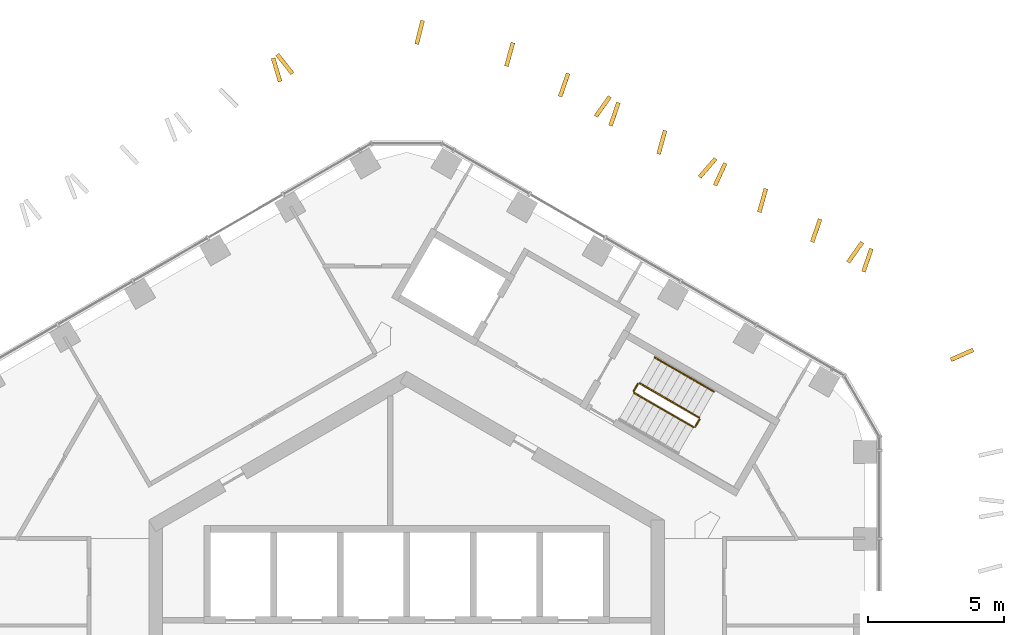
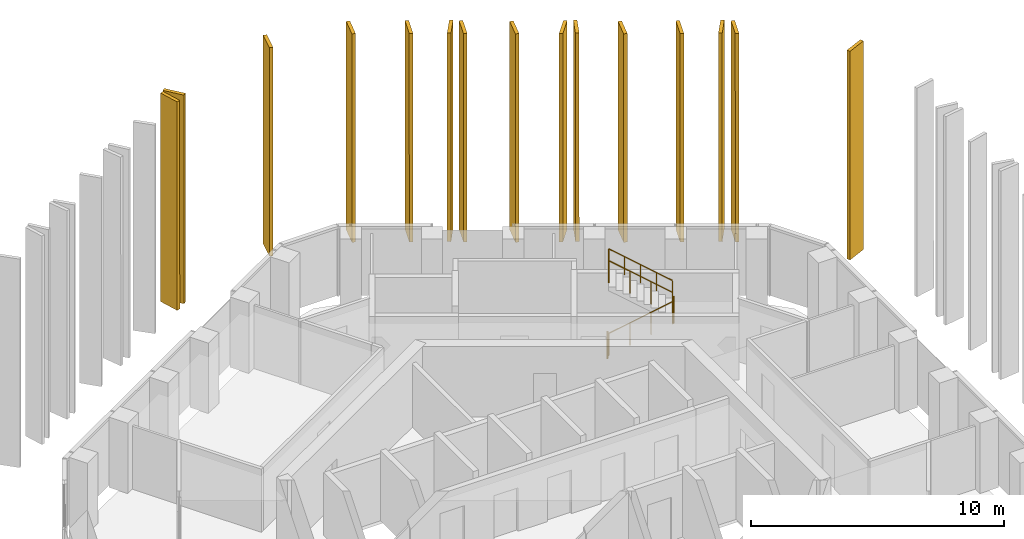
# One storey, part 18 of 18: 15 shading devices, 6 railings.
"""IFC4 building model written with IfcOpenShell, lengths in metres."""

import ifcopenshell
import ifcopenshell.guid

model = None  # the IFC model being written
_history = None  # IfcOwnerHistory: only IFC2X3 demands one
_inside = {}  # id of a spatial element -> (the spatial element, [elements in it])
_under = {}  # id of a project, library or spatial element -> (it, [spatial elements below it])
_declared = {}  # id of a project -> (the project, [libraries it declares])
_typed = {}  # id of a type object -> (the type object, [elements of that type])
_made_of = {}  # id of a material, layer set ... -> (it, [elements and type objects made of it])


def new_model(schema):
    """Start an empty IFC model of exactly this schema.

    Asked for "IFC4X3", IfcOpenShell would pick the latest addendum, in which some entities
    have other attributes; the version numbers below select the first issue.
    IFC2X3 requires an IfcOwnerHistory on every rooted entity: one is made here for all.
    """
    global model, _history
    if schema == "IFC4X3":
        model = ifcopenshell.file(schema_version=(4, 3, 0, 0))
    else:
        model = ifcopenshell.file(schema=schema)
    _inside.clear()
    _under.clear()
    _declared.clear()
    _typed.clear()
    _made_of.clear()
    _history = None
    if model.schema == "IFC2X3":
        org = make("IfcOrganization", Name="unknown")
        user = make(
            "IfcPersonAndOrganization",
            ThePerson=make("IfcPerson", FamilyName="unknown"),
            TheOrganization=org,
        )
        app = make(
            "IfcApplication",
            ApplicationDeveloper=org,
            Version="unknown",
            ApplicationFullName="unknown",
            ApplicationIdentifier="unknown",
        )
        _history = make(
            "IfcOwnerHistory",
            OwningUser=user,
            OwningApplication=app,
            ChangeAction="ADDED",
            CreationDate=0,
        )
    return model


def make(cls, **values):
    """One entity of the class cls with the attributes given. An attribute that is None is left unset."""
    return model.create_entity(
        cls, **{name: value for name, value in values.items() if value is not None}
    )


def rooted(cls, **values):
    """An entity with a GlobalId (a new one), such as an element, a storey or a relation."""
    return make(cls, GlobalId=ifcopenshell.guid.new(), OwnerHistory=_history, **values)


def si_unit(unit_type, name, prefix=None):
    """IfcSIUnit, for example si_unit("LENGTHUNIT", "METRE", prefix="MILLI")."""
    return make("IfcSIUnit", UnitType=unit_type, Prefix=prefix, Name=name)


def assignment(units):
    """IfcUnitAssignment: the units of a project."""
    return None if units is None else make("IfcUnitAssignment", Units=units)


def point(xyz):
    """IfcCartesianPoint."""
    return None if xyz is None else make("IfcCartesianPoint", Coordinates=xyz)


def direction(xyz):
    """IfcDirection."""
    return None if xyz is None else make("IfcDirection", DirectionRatios=xyz)


def frame(location, z_axis=None, x_axis=None):
    """IfcAxis2Placement3D, a coordinate frame: its origin and axes. An axis left out is left unset."""
    return make(
        "IfcAxis2Placement3D",
        Location=point(location),
        Axis=direction(z_axis),
        RefDirection=direction(x_axis),
    )


def frame_2d(location, x_axis=None):
    """IfcAxis2Placement2D, a coordinate frame in the plane: its origin and x axis."""
    return make(
        "IfcAxis2Placement2D", Location=point(location), RefDirection=direction(x_axis)
    )


def origin():
    """The frame at (0, 0, 0) with its axes left unset."""
    return frame((0.0, 0.0, 0.0))


def origin_2d():
    """The frame at (0, 0) in the plane with its x axis left unset."""
    return frame_2d((0.0, 0.0))


def place(relative_to, where):
    """IfcLocalPlacement: puts the frame where relative to a parent placement (None: the world)."""
    return make(
        "IfcLocalPlacement", PlacementRelTo=relative_to, RelativePlacement=where
    )


def context(
    kind, dimensions, precision=None, world=None, true_north=None, identifier=None
):
    """IfcGeometricRepresentationContext, for example the 3D "Model" context."""
    return make(
        "IfcGeometricRepresentationContext",
        ContextIdentifier=identifier,
        ContextType=kind,
        CoordinateSpaceDimension=dimensions,
        Precision=precision,
        WorldCoordinateSystem=world,
        TrueNorth=true_north,
    )


def subcontext(parent, identifier, kind, view, scale=None):
    """IfcGeometricRepresentationSubContext, for example "Body" below "Model"."""
    return make(
        "IfcGeometricRepresentationSubContext",
        ContextIdentifier=identifier,
        ContextType=kind,
        ParentContext=parent,
        TargetScale=scale,
        TargetView=view,
    )


def project(units=None, contexts=None):
    """IfcProject with its units and contexts."""
    return rooted(
        "IfcProject",
        Name="project",
        RepresentationContexts=contexts,
        UnitsInContext=assignment(units),
    )


def spatial(cls, under=None, at=None, **own):
    """A site, building, storey or space (cls), placed at a placement, below another one or the project."""
    s = rooted(cls, ObjectPlacement=at, **own)
    if under is not None:
        _under.setdefault(under.id(), (under, []))[1].append(s)
    return s


def polyline(points):
    """IfcPolyline through the points."""
    return make("IfcPolyline", Points=[point(p) for p in points])


def profile(cls, at=None, kind="AREA", **sizes):
    """A parametric profile (cls). Its sizes go by their IFC names, for example OverallWidth=200.0."""
    return make(cls, ProfileType=kind, Position=at, **sizes)


def circle(**sizes):
    """IfcCircleProfileDef."""
    return profile("IfcCircleProfileDef", **sizes)


def outline(outer, holes=None, kind="AREA"):
    """IfcArbitraryClosedProfileDef: a profile drawn as a closed curve; with holes, ...WithVoids."""
    if holes is None:
        return make("IfcArbitraryClosedProfileDef", ProfileType=kind, OuterCurve=outer)
    return make(
        "IfcArbitraryProfileDefWithVoids",
        ProfileType=kind,
        OuterCurve=outer,
        InnerCurves=holes,
    )


def extrude(swept, where, along, depth):
    """IfcExtrudedAreaSolid: the profile swept, set in the frame where, extruded along a direction by depth."""
    return make(
        "IfcExtrudedAreaSolid",
        SweptArea=swept,
        Position=where,
        ExtrudedDirection=direction(along),
        Depth=depth,
    )


def shape(context_of_items, identifier, shape_type, items):
    """IfcShapeRepresentation: the items that make up one representation, for example the "Body"."""
    return make(
        "IfcShapeRepresentation",
        ContextOfItems=context_of_items,
        RepresentationIdentifier=identifier,
        RepresentationType=shape_type,
        Items=items,
    )


def material(Name=None, Category=None):
    """IfcMaterial."""
    return make("IfcMaterial", Name=Name, Category=Category)


def layer(
    of_material, thickness, ventilated=None, Name=None, Category=None, Priority=None
):
    """IfcMaterialLayer: one layer of a wall or slab, of a material (None: an air gap)."""
    return make(
        "IfcMaterialLayer",
        Material=of_material,
        LayerThickness=thickness,
        IsVentilated=ventilated,
        Name=Name,
        Category=Category,
        Priority=Priority,
    )


def layer_set(layers, Name=None):
    """IfcMaterialLayerSet."""
    return make("IfcMaterialLayerSet", MaterialLayers=layers, LayerSetName=Name)


def made_of(thing, what):
    """Note that an element or type object is made of a material, layer set ...; save() writes the relation."""
    if what is not None:
        _made_of.setdefault(what.id(), (what, []))[1].append(thing)
    return thing


def type_object(cls, material=None, **own):
    """A type object (cls), such as IfcWallType, which elements share."""
    return made_of(rooted(cls, **own), material)


def element(
    cls,
    number,
    at=None,
    inside=None,
    cuts=None,
    type_object=None,
    material=None,
    context=None,
    identifier="Body",
    shape_type=None,
    held_by="IfcProductDefinitionShape",
    body=None,
    shapes=None,
    **own,
):
    """One element of the class cls, such as IfcWall. Its Tag is "e" and its number.

    at: its placement. inside: the storey or other place that contains it. cuts: it is an
    opening in that element (IfcRelVoidsElement). A single representation is given by context,
    identifier, shape_type and body (its items); several are given by shapes. held_by: the class
    of the entity that holds the representations. save() writes the other relations.
    """
    e = rooted(cls, Tag="e%d" % number, ObjectPlacement=at, **own)
    if body is not None:
        shapes = [shape(context, identifier, shape_type, body)]
    if shapes is not None:
        e.Representation = make(held_by, Representations=shapes)
    if inside is not None:
        _inside.setdefault(inside.id(), (inside, []))[1].append(e)
    if cuts is not None:
        rooted(
            "IfcRelVoidsElement", RelatingBuildingElement=cuts, RelatedOpeningElement=e
        )
    if type_object is not None:
        _typed.setdefault(type_object.id(), (type_object, []))[1].append(e)
    return made_of(e, material)


def aggregate(whole, parts):
    """IfcRelAggregates: a whole, such as a stair, and the parts it consists of."""
    return rooted("IfcRelAggregates", RelatingObject=whole, RelatedObjects=parts)


def save(model, path):
    """Write the relations noted so far, then the file.

    IfcRelAggregates (storeys below a building ...), IfcRelContainedInSpatialStructure (elements
    in a storey), IfcRelDefinesByType, IfcRelAssociatesMaterial and IfcRelDeclares: one each for
    every whole, place, type object, material and project.
    """
    for whole, parts in _under.values():
        aggregate(whole, parts)
    for where, things in _inside.values():
        rooted(
            "IfcRelContainedInSpatialStructure",
            RelatedElements=things,
            RelatingStructure=where,
        )
    for kind, things in _typed.values():
        rooted("IfcRelDefinesByType", RelatedObjects=things, RelatingType=kind)
    for what, things in _made_of.values():
        rooted("IfcRelAssociatesMaterial", RelatedObjects=things, RelatingMaterial=what)
    for by, libraries in _declared.values():
        rooted("IfcRelDeclares", RelatingContext=by, RelatedDefinitions=libraries)
    model.write(path)


model = new_model("IFC4")

# Units and contexts
model_context = context("Model", 3, precision=1e-05, world=origin(), true_north=direction((0.0, 1.0)))
body_context = subcontext(model_context, "Body", "Model", "MODEL_VIEW")
ifc_project = project(units=[si_unit("LENGTHUNIT", "METRE"), si_unit("AREAUNIT", "SQUARE_METRE"), si_unit("VOLUMEUNIT", "CUBIC_METRE"), si_unit("PLANEANGLEUNIT", "RADIAN"), si_unit("MASSUNIT", "GRAM", prefix="KILO")], contexts=[model_context])

# Site, building, storey
site_placement = place(None, origin())
site = spatial("IfcSite", under=ifc_project, at=site_placement, CompositionType="ELEMENT")
building_placement = place(site_placement, origin())
building = spatial("IfcBuilding", under=site, at=building_placement, Name="Ayvan Gate Tower", CompositionType="ELEMENT")
storey_placement = place(building_placement, frame((0.0, 0.0, 218.89990234375)))
storey = spatial("IfcBuildingStorey", under=building, at=storey_placement, Name="L58", CompositionType="ELEMENT", Elevation=218.89990234375)

# Shading devices
ifc_material_1 = material(Name="Bronze anodised aluminium", Category="aluminium")
ifc_layer = layer(ifc_material_1, 0.14990234375)
ifc_layer_set = layer_set([ifc_layer], Name="Bronze anodised aluminium")
shading_device_type = type_object("IfcShadingDeviceType", Name="Bronze fin 900 x 150", PredefinedType="USERDEFINED", material=ifc_layer_set)
shading_device_1_placement = place(storey_placement, frame((-4.149658203125, 21.97705078125, 0.0), z_axis=(0.784507651221, 0.620119118497, 0.000155081736), x_axis=(-0.620119125954, 0.784507660655, 0.0)))
element("IfcShadingDevice", 1, at=shading_device_1_placement, inside=storey, type_object=shading_device_type, Name="Bronze fin FG22.1.1", ObjectType="FIN", PredefinedType="USERDEFINED", context=body_context, shape_type="SweptSolid", body=[
    extrude(outline(polyline([(0.0, 0.0), (0.8999971866563694, -1.3552527156068805e-20), (0.8999880472489348, 10.08007824621468), (-9.13940743477509e-06, 10.08007824621468), (0.0, 0.0)])), origin(), (0.0, 0.0, -1.0), 0.14990234375),
])
shading_device_2_placement = place(storey_placement, frame((-4.591064453125, 21.662109375, 0.0), z_axis=(0.957527128325, 0.288343155073, 0.000153115895), x_axis=(-0.288343158453, 0.957527139549, 0.0)))
element("IfcShadingDevice", 2, at=shading_device_2_placement, inside=storey, type_object=shading_device_type, Name="Bronze fin FG22.1.2", ObjectType="FIN", PredefinedType="USERDEFINED", context=body_context, shape_type="SweptSolid", body=[
    extrude(outline(polyline([(0.0, 0.0), (0.9000438427842659, 6.776263578034403e-21), (0.8999986779091738, 10.080078243161084), (-4.516487509215709e-05, 10.080078243161084), (0.0, 0.0)])), origin(), (0.0, 0.0, -1.0), 0.14990234375),
])
shading_device_3_placement = place(storey_placement, frame((20.074462890625, 11.31787109375, 0.0), z_axis=(0.404060917608, -0.914732067253, 0.000141424826), x_axis=(0.914732076402, 0.404060921646, -1.7548e-08)))
element("IfcShadingDevice", 3, at=shading_device_3_placement, inside=storey, type_object=shading_device_type, Name="Bronze fin FG22.10.80", ObjectType="FIN", PredefinedType="USERDEFINED", context=body_context, shape_type="SweptSolid", body=[
    extrude(outline(polyline([(0.0, 0.0), (0.899932439931201, 2.0328790734103208e-20), (0.9000775026432281, 10.080078241600003), (4.6415026078272525e-05, 10.080078210014818), (0.0, 0.0)])), origin(), (0.0, 0.0, -1.0), 0.14990234375),
])
shading_device_4_placement = place(storey_placement, frame((16.898681640625, 14.60693359375, 0.0), z_axis=(0.945308095431, -0.326178761766, 0.000141725248), x_axis=(0.326178765044, 0.945308104924, -1.8169e-08)))
element("IfcShadingDevice", 4, at=shading_device_4_placement, inside=storey, type_object=shading_device_type, Name="Bronze fin FG22.11.81", ObjectType="FIN", PredefinedType="USERDEFINED", context=body_context, shape_type="SweptSolid", body=[
    extrude(outline(polyline([(0.0, 0.0), (0.9000956542985606, -6.776263578034403e-21), (0.9000792464467441, 10.080078242588414), (6.322563574313208e-05, 10.080078209881359), (0.0, 0.0)])), origin(), (0.0, 0.0, -1.0), 0.14990234375),
])
shading_device_5_placement = place(storey_placement, frame((16.324462890625, 14.938232421875, 0.0), z_axis=(0.815763137709, -0.578386102293, 0.000140815104), x_axis=(0.578386108028, 0.815763145797, 0.0)))
element("IfcShadingDevice", 5, at=shading_device_5_placement, inside=storey, type_object=shading_device_type, Name="Bronze fin FG22.11.82", ObjectType="FIN", PredefinedType="USERDEFINED", context=body_context, shape_type="SweptSolid", body=[
    extrude(outline(polyline([(0.0, 0.0), (0.8999313871402703, 0.0), (0.8998228321835451, 10.080078224938399), (-0.0001085549567254266, 10.080078224938399), (0.0, 0.0)])), origin(), (0.0, 0.0, -1.0), 0.14990234375),
])
shading_device_6_placement = place(storey_placement, frame((15.009765625, 15.697021484375, 0.0), z_axis=(0.946102746025, -0.323866593679, 0.00015317646), x_axis=(0.323866597479, 0.946102757124, 0.0)))
element("IfcShadingDevice", 6, at=shading_device_6_placement, inside=storey, type_object=shading_device_type, Name="Bronze fin FG22.11.83", ObjectType="FIN", PredefinedType="USERDEFINED", context=body_context, shape_type="SweptSolid", body=[
    extrude(outline(polyline([(0.0, 0.0), (0.9000740073823146, 0.0), (0.900061557658041, 10.080078243254578), (-1.2449724273632616e-05, 10.080078243254578), (0.0, 0.0)])), origin(), (0.0, 0.0, -1.0), 0.14990234375),
])
shading_device_7_placement = place(storey_placement, frame((13.063232421875, 16.80322265625, 0.0), z_axis=(0.96357422355, -0.267441008985, 0.000149743433), x_axis=(0.267441011984, 0.963574234353, -5.432e-09)))
element("IfcShadingDevice", 7, at=shading_device_7_placement, inside=storey, type_object=shading_device_type, Name="Bronze fin FG22.11.85", ObjectType="FIN", PredefinedType="USERDEFINED", context=body_context, shape_type="SweptSolid", body=[
    extrude(outline(polyline([(0.0, 0.0), (0.8999786421479705, -6.776263578034403e-21), (0.9000573233304763, 10.080078242902324), (-0.0001565664333030252, 10.080078233123816), (0.0, 0.0)])), origin(), (0.0, 0.0, -1.0), 0.14990234375),
])
shading_device_8_placement = place(storey_placement, frame((11.42919921875, 17.780517578125, 0.0), z_axis=(0.908419361645, -0.418060097445, 0.000135323751), x_axis=(0.418060101272, 0.908419369963, 7.673e-09)))
element("IfcShadingDevice", 8, at=shading_device_8_placement, inside=storey, type_object=shading_device_type, Name="Bronze fin FG22.11.87", ObjectType="FIN", PredefinedType="USERDEFINED", context=body_context, shape_type="SweptSolid", body=[
    extrude(outline(polyline([(0.0, 0.0), (0.9000310268718524, 6.776263578034403e-21), (0.899964341089743, 10.080078210390377), (0.00015509629063559114, 10.080078224200555), (0.0, 0.0)])), origin(), (0.0, 0.0, -1.0), 0.14990234375),
])
shading_device_9_placement = place(storey_placement, frame((10.8466796875, 18.068115234375, 0.0), z_axis=(0.754941216385, -0.655792450812, 0.000145814892), x_axis=(0.655792457782, 0.754941224412, 1.4932e-08)))
element("IfcShadingDevice", 9, at=shading_device_9_placement, inside=storey, type_object=shading_device_type, Name="Bronze fin FG22.11.88", ObjectType="FIN", PredefinedType="USERDEFINED", context=body_context, shape_type="SweptSolid", body=[
    extrude(outline(polyline([(0.0, 0.0), (0.8999149897453291, 0.0), (0.9000119652304109, 10.080078218722075), (-6.313009543135852e-05, 10.080078245599873), (0.0, 0.0)])), origin(), (0.0, 0.0, -1.0), 0.14990234375),
])
shading_device_10_placement = place(storey_placement, frame((9.351318359375, 18.946044921875, 0.0), z_axis=(0.963634408696, -0.267224068853, 0.000152980396), x_axis=(0.26722407198, 0.963634419972, 0.0)))
element("IfcShadingDevice", 10, at=shading_device_10_placement, inside=storey, type_object=shading_device_type, Name="Bronze fin FG22.11.89", ObjectType="FIN", PredefinedType="USERDEFINED", context=body_context, shape_type="SweptSolid", body=[
    extrude(outline(polyline([(0.0, 0.0), (0.8999133717383321, 0.0), (0.8999924548457698, 10.080078242952045), (7.908310743771224e-05, 10.080078242952045), (0.0, 0.0)])), origin(), (0.0, 0.0, -1.0), 0.14990234375),
])
shading_device_11_placement = place(storey_placement, frame((7.580322265625, 19.986572265625, 0.0), z_axis=(0.945949503241, -0.32431391773, 0.000141720357), x_axis=(0.324313920984, 0.945949512741, 1.8185e-08)))
element("IfcShadingDevice", 11, at=shading_device_11_placement, inside=storey, type_object=shading_device_type, Name="Bronze fin FG22.11.91", ObjectType="FIN", PredefinedType="USERDEFINED", context=body_context, shape_type="SweptSolid", body=[
    extrude(outline(polyline([(0.0, 0.0), (0.8999221402601754, -6.776263578034403e-21), (0.8999883219567135, 10.080078209861485), (-1.2996506827300784e-05, 10.08007824259249), (0.0, 0.0)])), origin(), (0.0, 0.0, -1.0), 0.14990234375),
])
shading_device_12_placement = place(storey_placement, frame((7.025390625, 20.306640625, 0.0), z_axis=(0.815023638486, -0.579427689068, 0.000147818134), x_axis=(0.579427695397, 0.815023647391, 1.1616e-08)))
element("IfcShadingDevice", 12, at=shading_device_12_placement, inside=storey, type_object=shading_device_type, Name="Bronze fin FG22.11.92", ObjectType="FIN", PredefinedType="USERDEFINED", context=body_context, shape_type="SweptSolid", body=[
    extrude(outline(polyline([(0.0, 0.0), (0.9000985394967457, -1.3552527156068805e-20), (0.8999882885338415, 10.080078224671835), (8.872941975971171e-05, 10.08007824558015), (0.0, 0.0)])), origin(), (0.0, 0.0, -1.0), 0.14990234375),
])
shading_device_13_placement = place(storey_placement, frame((5.722412109375, 21.06005859375, 0.0), z_axis=(0.944705165817, -0.327920914577, 0.000153169755), x_axis=(0.327920918424, 0.944705176899, 0.0)))
element("IfcShadingDevice", 13, at=shading_device_13_placement, inside=storey, type_object=shading_device_type, Name="Bronze fin FG22.11.93", ObjectType="FIN", PredefinedType="USERDEFINED", context=body_context, shape_type="SweptSolid", body=[
    extrude(outline(polyline([(0.0, 0.0), (0.9001134085727984, 0.0), (0.9000943374896084, 10.080078243244227), (-1.9071083189984694e-05, 10.080078243244227), (0.0, 0.0)])), origin(), (0.0, 0.0, -1.0), 0.14990234375),
])
shading_device_14_placement = place(storey_placement, frame((3.746337890625, 22.181884765625, 0.0), z_axis=(0.963758449784, -0.26677636796, 0.000141305566), x_axis=(0.266776370621, 0.963758459407, 1.8471e-08)))
element("IfcShadingDevice", 14, at=shading_device_14_placement, inside=storey, type_object=shading_device_type, Name="Bronze fin FG22.11.95", ObjectType="FIN", PredefinedType="USERDEFINED", context=body_context, shape_type="SweptSolid", body=[
    extrude(outline(polyline([(0.0, 0.0), (0.9000183053205618, -6.776263578034403e-21), (0.9001634219438367, 10.08007820900903), (7.998567341613293e-05, 10.080078242258388), (0.0, 0.0)])), origin(), (0.0, 0.0, -1.0), 0.14990234375),
])
shading_device_15_placement = place(storey_placement, frame((0.440673828125, 22.99658203125, 0.0), z_axis=(0.969460467088, -0.245247589827, 0.000149792535), x_axis=(0.245247592579, 0.969460477964, -4.984e-09)))
element("IfcShadingDevice", 15, at=shading_device_15_placement, inside=storey, type_object=shading_device_type, Name="Bronze fin FG22.12.96", ObjectType="FIN", PredefinedType="USERDEFINED", context=body_context, shape_type="SweptSolid", body=[
    extrude(outline(polyline([(0.0, 0.0), (0.8998012967423878, -6.776263578034403e-21), (0.8999153664763677, 10.080078242572384), (-0.00012261495302305997, 10.080078233602391), (0.0, 0.0)])), origin(), (0.0, 0.0, -1.0), 0.14990234375),
])

# Railings
ifc_material_2 = material(Name="Stainless steel balustrade", Category="steel")
railing_type_1 = type_object("IfcRailingType", Name="RL-GUARD-1100", PredefinedType="GUARDRAIL", material=ifc_material_2)
railing_1_placement = place(storey_placement, frame((8.381103515625, 10.16650390625, 0.170166015625)))
element("IfcRailing", 16, at=railing_1_placement, inside=storey, type_object=railing_type_1, Name="L58 STS1 stair guard 1", PredefinedType="GUARDRAIL", context=body_context, shape_type="SweptSolid", body=[
    extrude(circle(Radius=0.02392578125, at=origin_2d()), frame((0.0, 0.0, 1.076171875), z_axis=(0.740261155115, -0.427395438142, 0.518986090067), x_axis=(0.500004791531, 0.866022637375, 0.0)), (0.0, 0.0, 1.0), 2.947998046875),
    extrude(circle(Radius=0.02099609375, at=origin_2d()), origin(), (0.0, 0.0, 1.0), 1.052001953125),
    extrude(circle(Radius=0.02099609375, at=origin_2d()), frame((0.7275390625, -0.419921875, 0.510009765625)), (0.0, 0.0, 1.0), 1.052001953125),
    extrude(circle(Radius=0.02099609375, at=origin_2d()), frame((1.454833984375, -0.840087890625, 1.02001953125)), (0.0, 0.0, 1.0), 1.052001953125),
    extrude(circle(Radius=0.02099609375, at=origin_2d()), frame((2.182373046875, -1.260009765625, 1.530029296875)), (0.0, 0.0, 1.0), 1.052001953125),
])
railing_2_placement = place(storey_placement, frame((10.6318359375, 8.9248046875, 1.7001953125)))
element("IfcRailing", 17, at=railing_2_placement, inside=storey, type_object=railing_type_1, Name="L58 STS1 stair guard 2", PredefinedType="GUARDRAIL", context=body_context, shape_type="SweptSolid", body=[
    extrude(circle(Radius=0.02392578125, at=origin_2d()), frame((0.0, 0.0, 1.076171875), z_axis=(0.499949632511, 0.866054481515, 0.0), x_axis=(-0.866054481515, 0.499949632511, 0.0)), (0.0, 0.0, 1.0), 0.31005859375),
    extrude(circle(Radius=0.02099609375, at=origin_2d()), origin(), (0.0, 0.0, 1.0), 1.052001953125),
    extrude(circle(Radius=0.02099609375, at=origin_2d()), frame((0.155029296875, 0.2685546875, 0.0)), (0.0, 0.0, 1.0), 1.052001953125),
])
railing_3_placement = place(storey_placement, frame((10.7685546875, 9.261474609375, 1.8701171875)))
element("IfcRailing", 18, at=railing_3_placement, inside=storey, type_object=railing_type_1, Name="L58 STS1 stair guard 3", PredefinedType="GUARDRAIL", context=body_context, shape_type="SweptSolid", body=[
    extrude(circle(Radius=0.02392578125, at=origin_2d()), frame((0.0, 0.0, 1.076171875), z_axis=(-0.740261155115, 0.427395438142, 0.518986090067), x_axis=(-0.500004791531, -0.866022637375, 0.0)), (0.0, 0.0, 1.0), 2.947998046875),
    extrude(circle(Radius=0.02099609375, at=origin_2d()), origin(), (0.0, 0.0, 1.0), 1.052001953125),
    extrude(circle(Radius=0.02099609375, at=origin_2d()), frame((-0.7275390625, 0.419921875, 0.510009765625)), (0.0, 0.0, 1.0), 1.052001953125),
    extrude(circle(Radius=0.02099609375, at=origin_2d()), frame((-1.454833984375, 0.840087890625, 1.02001953125)), (0.0, 0.0, 1.0), 1.052001953125),
    extrude(circle(Radius=0.02099609375, at=origin_2d()), frame((-2.182373046875, 1.260009765625, 1.530029296875)), (0.0, 0.0, 1.0), 1.052001953125),
])
railing_4_placement = place(storey_placement, frame((8.36279296875, 10.23486328125, 0.0)))
element("IfcRailing", 19, at=railing_4_placement, inside=storey, type_object=railing_type_1, Name="L58 STS1 stair guard 4", PredefinedType="GUARDRAIL", context=body_context, shape_type="SweptSolid", body=[
    extrude(circle(Radius=0.02392578125, at=origin_2d()), frame((0.0, 0.0, 1.076171875), z_axis=(0.500290723946, 0.86585748916, 0.0), x_axis=(-0.86585748916, 0.500290723946, 0.0)), (0.0, 0.0, 1.0), 0.309814453125),
    extrude(circle(Radius=0.02099609375, at=origin_2d()), origin(), (0.0, 0.0, 1.0), 1.052001953125),
    extrude(circle(Radius=0.02099609375, at=origin_2d()), frame((0.155029296875, 0.268310546875, 0.0)), (0.0, 0.0, 1.0), 1.052001953125),
])
railing_type_2 = type_object("IfcRailingType", Name="RL-HANDRAIL-900", PredefinedType="HANDRAIL", material=ifc_material_2)
railing_5_placement = place(storey_placement, frame((11.318603515625, 10.214111328125, 1.8701171875)))
element("IfcRailing", 20, at=railing_5_placement, inside=storey, type_object=railing_type_2, Name="L58 STS1 stair handrail 3", PredefinedType="HANDRAIL", context=body_context, shape_type="SweptSolid", body=[
    extrude(circle(Radius=0.02392578125, at=origin_2d()), frame((0.0, 0.0, 0.8759765625), z_axis=(-0.740304193401, 0.427455284825, 0.518875399983), x_axis=(-0.500035496587, -0.86600490885, 0.0)), (0.0, 0.0, 1.0), 1.47412109375),
    extrude(circle(Radius=0.02099609375, at=origin_2d()), origin(), (0.0, 0.0, 1.0), 0.851806640625),
    extrude(circle(Radius=0.02099609375, at=origin_2d()), frame((-0.545654296875, 0.31494140625, 0.38232421875)), (0.0, 0.0, 1.0), 0.851806640625),
    extrude(circle(Radius=0.02099609375, at=origin_2d()), frame((-1.09130859375, 0.630126953125, 0.764892578125)), (0.0, 0.0, 1.0), 0.851806640625),
])
railing_6_placement = place(storey_placement, frame((10.227294921875, 10.84423828125, 2.635009765625)))
element("IfcRailing", 21, at=railing_6_placement, inside=storey, type_object=railing_type_2, Name="L58 STS1 stair handrail 4", PredefinedType="HANDRAIL", context=body_context, shape_type="SweptSolid", body=[
    extrude(circle(Radius=0.02392578125, at=origin_2d()), frame((0.0, 0.0, 0.8759765625), z_axis=(-0.740292964666, 0.42728318766, 0.519033143459), x_axis=(-0.499890179513, -0.866088799389, 0.0)), (0.0, 0.0, 1.0), 1.47412109375),
    extrude(circle(Radius=0.02099609375, at=origin_2d()), origin(), (0.0, 0.0, 1.0), 0.851806640625),
    extrude(circle(Radius=0.02099609375, at=origin_2d()), frame((-0.545654296875, 0.31494140625, 0.382568359375)), (0.0, 0.0, 1.0), 0.851806640625),
    extrude(circle(Radius=0.02099609375, at=origin_2d()), frame((-1.09130859375, 0.6298828125, 0.76513671875)), (0.0, 0.0, 1.0), 0.851806640625),
])

save(model, "model.ifc")
